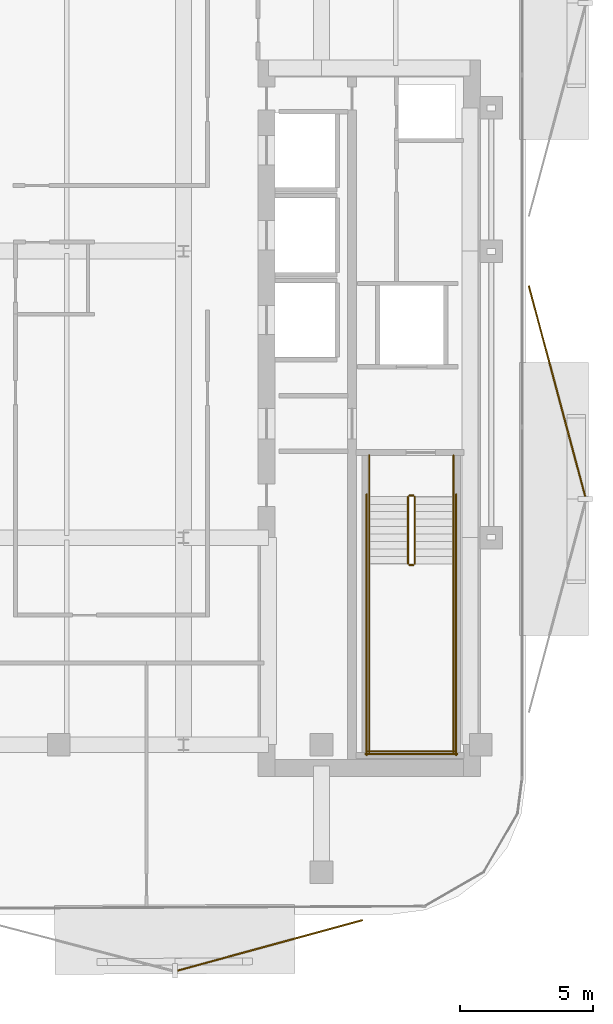
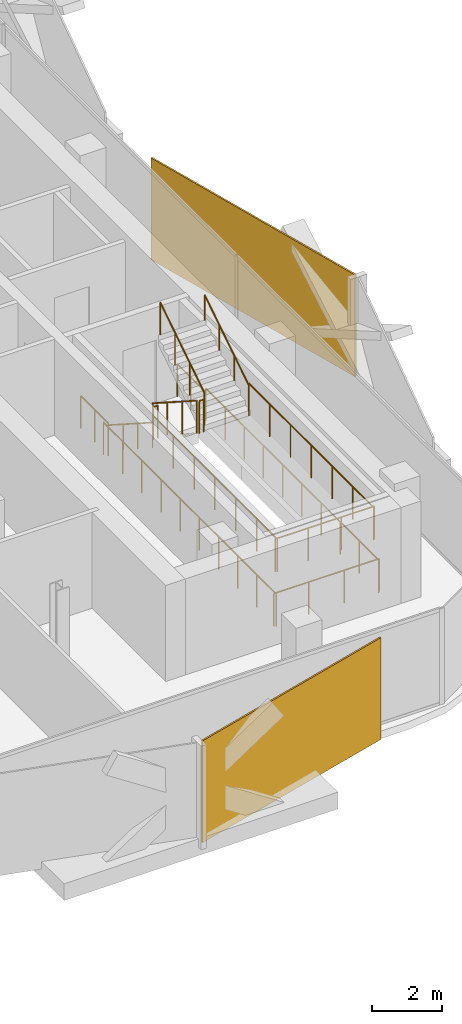
# One storey, part 13 of 14: 14 railings, 2 coverings.
"""IFC4 building model written with IfcOpenShell, lengths in metres."""

from ifc_helpers import new_model, si_unit, direction, frame, origin, origin_2d, place, context, subcontext, project, spatial, rectangle, circle, extrude, material, layer, layer_set, type_object, element, save


model = new_model("IFC4")

# Units and contexts
model_context = context("Model", 3, precision=1e-05, world=origin(), true_north=direction((0.0, 1.0)))
body_context = subcontext(model_context, "Body", "Model", "MODEL_VIEW")
ifc_project = project(units=[si_unit("LENGTHUNIT", "METRE"), si_unit("AREAUNIT", "SQUARE_METRE"), si_unit("VOLUMEUNIT", "CUBIC_METRE"), si_unit("PLANEANGLEUNIT", "RADIAN"), si_unit("MASSUNIT", "GRAM", prefix="KILO")], contexts=[model_context])

# Site, building, storey
site_placement = place(None, origin())
site = spatial("IfcSite", under=ifc_project, at=site_placement, CompositionType="ELEMENT")
building_placement = place(site_placement, origin())
building = spatial("IfcBuilding", under=site, at=building_placement, Name="Khairoan Windgate Tower", CompositionType="ELEMENT")
storey_placement = place(building_placement, frame((0.0, 0.0, 236.800048828125)))
storey = spatial("IfcBuildingStorey", under=building, at=storey_placement, Name="L55", CompositionType="ELEMENT", Elevation=236.800048828125)

# Coverings
ifc_material_1 = material(Name="Anodised Bronze Aluminium 6063-T6", Category="aluminium")
ifc_layer = layer(ifc_material_1, 0.054931640625, Name="Anodised Bronze Aluminium 6063-T6")
ifc_layer_set = layer_set([ifc_layer], Name="Anodised Bronze Aluminium 6063-T6")
covering_type = type_object("IfcCoveringType", Name="Perforated Bronze-Ceramic Folded Solar Screen Cladding BSC-1", PredefinedType="CLADDING", material=ifc_layer_set)
covering_1_placement = place(storey_placement, frame((12.45458984375, -26.162109375, -0.10009765625), z_axis=(0.0, 0.0, 1.0), x_axis=(-0.964649468762, -0.263536339841, 0.0)))
element("IfcCovering", 1, at=covering_1_placement, inside=storey, type_object=covering_type, Name="L55 Folded Bronze Solar Screen Facet 369L", PredefinedType="CLADDING", context=body_context, shape_type="SweptSolid", body=[
    extrude(rectangle(XDim=7.23193359375, YDim=0.054931640625, at=origin_2d()), origin(), (0.0, 0.0, 1.0), 3.5400390625),
])
covering_2_placement = place(storey_placement, frame((23.275634765625, -5.283447265625, -0.10009765625), z_axis=(0.0, 0.0, 1.0), x_axis=(0.258819045103, -0.965925826289, 0.0)))
element("IfcCovering", 2, at=covering_2_placement, inside=storey, type_object=covering_type, Name="L55 Folded Bronze Solar Screen Facet 376L", PredefinedType="CLADDING", context=body_context, shape_type="SweptSolid", body=[
    extrude(rectangle(XDim=8.22412109375, YDim=0.054931640625, at=origin_2d()), origin(), (0.0, 0.0, 1.0), 3.5400390625),
])

# Railings
ifc_material_2 = material(Name="Anodised Bronze Aluminium 6063-T6", Category="aluminium")
railing_type_1 = type_object("IfcRailingType", Name="Stair Wall Handrail SHR-900", PredefinedType="HANDRAIL", material=ifc_material_2)
railing_1_placement = place(storey_placement, frame((16.199951171875, -9.260009765625, 0.179931640625)))
element("IfcRailing", 3, at=railing_1_placement, inside=storey, type_object=railing_type_1, Name="L55 ST1 stair handrail 1", PredefinedType="HANDRAIL", context=body_context, shape_type="SweptSolid", body=[
    extrude(circle(Radius=0.02392578125, at=origin_2d()), frame((0.0, 0.0, 0.8759765625), z_axis=(0.0, -0.841162588446, 0.540782303519), x_axis=(1.0, 0.0, 0.0)), (0.0, 0.0, 1.0), 2.995849609375),
    extrude(circle(Radius=0.02099609375, at=origin_2d()), origin(), (0.0, 0.0, 1.0), 0.851806640625),
    extrude(circle(Radius=0.02099609375, at=origin_2d()), frame((0.0, -0.840087890625, 0.5400390625)), (0.0, 0.0, 1.0), 0.851806640625),
    extrude(circle(Radius=0.02099609375, at=origin_2d()), frame((0.0, -1.679931640625, 1.080078125)), (0.0, 0.0, 1.0), 0.851806640625),
    extrude(circle(Radius=0.02099609375, at=origin_2d()), frame((0.0, -2.52001953125, 1.6201171875)), (0.0, 0.0, 1.0), 0.851806640625),
])
railing_2_placement = place(storey_placement, frame((19.3701171875, -11.780029296875, 1.97998046875)))
element("IfcRailing", 4, at=railing_2_placement, inside=storey, type_object=railing_type_1, Name="L55 ST1 stair handrail 2", PredefinedType="HANDRAIL", context=body_context, shape_type="SweptSolid", body=[
    extrude(circle(Radius=0.02392578125, at=origin_2d()), frame((0.0, 0.0, 0.8759765625), z_axis=(0.0, 0.841199657755, 0.540724639528), x_axis=(-1.0, 0.0, 0.0)), (0.0, 0.0, 1.0), 2.995849609375),
    extrude(circle(Radius=0.02099609375, at=origin_2d()), origin(), (0.0, 0.0, 1.0), 0.851806640625),
    extrude(circle(Radius=0.02099609375, at=origin_2d()), frame((0.0, 0.840087890625, 0.5400390625)), (0.0, 0.0, 1.0), 0.851806640625),
    extrude(circle(Radius=0.02099609375, at=origin_2d()), frame((0.0, 1.679931640625, 1.079833984375)), (0.0, 0.0, 1.0), 0.851806640625),
    extrude(circle(Radius=0.02099609375, at=origin_2d()), frame((0.0, 2.52001953125, 1.619873046875)), (0.0, 0.0, 1.0), 0.851806640625),
])
ifc_material_3 = material(Name="Steel S355", Category="steel")
railing_type_2 = type_object("IfcRailingType", Name="Stairwell Safety Guardrail SGR-1150", PredefinedType="GUARDRAIL", material=ifc_material_3)
railing_3_placement = place(storey_placement, frame((17.659912109375, -9.260009765625, 0.179931640625)))
element("IfcRailing", 5, at=railing_3_placement, inside=storey, type_object=railing_type_2, Name="L55 ST1 stair guard 1", PredefinedType="GUARDRAIL", context=body_context, shape_type="SweptSolid", body=[
    extrude(circle(Radius=0.02392578125, at=origin_2d()), frame((0.0, 0.0, 1.1259765625), z_axis=(0.0, -0.841162588446, 0.540782303519), x_axis=(1.0, 0.0, 0.0)), (0.0, 0.0, 1.0), 2.995849609375),
    extrude(circle(Radius=0.02099609375, at=origin_2d()), origin(), (0.0, 0.0, 1.0), 1.101806640625),
    extrude(circle(Radius=0.02099609375, at=origin_2d()), frame((0.0, -0.840087890625, 0.5400390625)), (0.0, 0.0, 1.0), 1.101806640625),
    extrude(circle(Radius=0.02099609375, at=origin_2d()), frame((0.0, -1.679931640625, 1.080078125)), (0.0, 0.0, 1.0), 1.101806640625),
    extrude(circle(Radius=0.02099609375, at=origin_2d()), frame((0.0, -2.52001953125, 1.6201171875)), (0.0, 0.0, 1.0), 1.101806640625),
])
railing_4_placement = place(storey_placement, frame((17.7099609375, -11.830078125, 1.800048828125)))
element("IfcRailing", 6, at=railing_4_placement, inside=storey, type_object=railing_type_2, Name="L55 ST1 stair guard 2", PredefinedType="GUARDRAIL", context=body_context, shape_type="SweptSolid", body=[
    extrude(circle(Radius=0.02392578125, at=origin_2d()), frame((0.0, 0.0, 1.1259765625), z_axis=(1.0, 0.0, 0.0), x_axis=(0.0, 1.0, 0.0)), (0.0, 0.0, 1.0), 0.150146484375),
    extrude(circle(Radius=0.02099609375, at=origin_2d()), origin(), (0.0, 0.0, 1.0), 1.101806640625),
    extrude(circle(Radius=0.02099609375, at=origin_2d()), frame((0.150146484375, 0.0, 0.0)), (0.0, 0.0, 1.0), 1.101806640625),
])
for number, where, name in (
    (7, (16.199951171875, -11.780029296875, 1.800048828125), "L55 ST1 stair guard 3"),
    (8, (19.3701171875, -11.780029296875, 1.800048828125), "L55 ST1 stair guard 4"),
):
    element("IfcRailing", number, at=place(storey_placement, frame(where)), inside=storey, type_object=railing_type_2, Name=name, PredefinedType="GUARDRAIL", context=body_context, shape_type="SweptSolid", body=[
        extrude(circle(Radius=0.02392578125, at=origin_2d()), frame((0.0, 0.0, 1.1259765625), z_axis=(0.0, -1.0, 0.0), x_axis=(1.0, 0.0, 0.0)), (0.0, 0.0, 1.0), 7.119873046875),
        extrude(circle(Radius=0.02099609375, at=origin_2d()), origin(), (0.0, 0.0, 1.0), 1.101806640625),
        extrude(circle(Radius=0.02099609375, at=origin_2d()), frame((0.0, -1.1865234375, 0.0)), (0.0, 0.0, 1.0), 1.101806640625),
        extrude(circle(Radius=0.02099609375, at=origin_2d()), frame((0.0, -2.373291015625, 0.0)), (0.0, 0.0, 1.0), 1.101806640625),
        extrude(circle(Radius=0.02099609375, at=origin_2d()), frame((0.0, -3.56005859375, 0.0)), (0.0, 0.0, 1.0), 1.101806640625),
        extrude(circle(Radius=0.02099609375, at=origin_2d()), frame((0.0, -4.74658203125, 0.0)), (0.0, 0.0, 1.0), 1.101806640625),
        extrude(circle(Radius=0.02099609375, at=origin_2d()), frame((0.0, -5.93310546875, 0.0)), (0.0, 0.0, 1.0), 1.101806640625),
        extrude(circle(Radius=0.02099609375, at=origin_2d()), frame((0.0, -7.119873046875, 0.0)), (0.0, 0.0, 1.0), 1.101806640625),
    ])
railing_5_placement = place(storey_placement, frame((16.14990234375, -18.85009765625, 1.800048828125)))
element("IfcRailing", 9, at=railing_5_placement, inside=storey, type_object=railing_type_2, Name="L55 ST1 stair guard 5", PredefinedType="GUARDRAIL", context=body_context, shape_type="SweptSolid", body=[
    extrude(circle(Radius=0.02392578125, at=origin_2d()), frame((0.0, 0.0, 1.1259765625), z_axis=(1.0, 0.0, 0.0), x_axis=(0.0, 1.0, 0.0)), (0.0, 0.0, 1.0), 3.27001953125),
    extrude(circle(Radius=0.02099609375, at=origin_2d()), origin(), (0.0, 0.0, 1.0), 1.101806640625),
    extrude(circle(Radius=0.02099609375, at=origin_2d()), frame((1.090087890625, 0.0, 0.0)), (0.0, 0.0, 1.0), 1.101806640625),
    extrude(circle(Radius=0.02099609375, at=origin_2d()), frame((2.179931640625, 0.0, 0.0)), (0.0, 0.0, 1.0), 1.101806640625),
    extrude(circle(Radius=0.02099609375, at=origin_2d()), frame((3.27001953125, 0.0, 0.0)), (0.0, 0.0, 1.0), 1.101806640625),
])
railing_6_placement = place(storey_placement, frame((17.909912109375, -11.780029296875, 1.97998046875)))
element("IfcRailing", 10, at=railing_6_placement, inside=storey, type_object=railing_type_2, Name="L55 ST1 stair guard 6", PredefinedType="GUARDRAIL", context=body_context, shape_type="SweptSolid", body=[
    extrude(circle(Radius=0.02392578125, at=origin_2d()), frame((0.0, 0.0, 1.1259765625), z_axis=(0.0, 0.841199657755, 0.540724639528), x_axis=(-1.0, 0.0, 0.0)), (0.0, 0.0, 1.0), 2.995849609375),
    extrude(circle(Radius=0.02099609375, at=origin_2d()), origin(), (0.0, 0.0, 1.0), 1.101806640625),
    extrude(circle(Radius=0.02099609375, at=origin_2d()), frame((0.0, 0.840087890625, 0.5400390625)), (0.0, 0.0, 1.0), 1.101806640625),
    extrude(circle(Radius=0.02099609375, at=origin_2d()), frame((0.0, 1.679931640625, 1.079833984375)), (0.0, 0.0, 1.0), 1.101806640625),
    extrude(circle(Radius=0.02099609375, at=origin_2d()), frame((0.0, 2.52001953125, 1.619873046875)), (0.0, 0.0, 1.0), 1.101806640625),
])
railing_7_placement = place(storey_placement, frame((17.7099609375, -9.2099609375, 0.0)))
element("IfcRailing", 11, at=railing_7_placement, inside=storey, type_object=railing_type_2, Name="L55 ST1 stair guard 7", PredefinedType="GUARDRAIL", context=body_context, shape_type="SweptSolid", body=[
    extrude(circle(Radius=0.02392578125, at=origin_2d()), frame((0.0, 0.0, 1.1259765625), z_axis=(1.0, 0.0, 0.0), x_axis=(0.0, 1.0, 0.0)), (0.0, 0.0, 1.0), 0.150146484375),
    extrude(circle(Radius=0.02099609375, at=origin_2d()), origin(), (0.0, 0.0, 1.0), 1.101806640625),
    extrude(circle(Radius=0.02099609375, at=origin_2d()), frame((0.150146484375, 0.0, 0.0)), (0.0, 0.0, 1.0), 1.101806640625),
])
for number, where, name in (
    (12, (16.199951171875, -7.699951171875, 0.0), "L55 ST1 stair guard 8"),
    (13, (19.3701171875, -7.699951171875, 0.0), "L55 ST1 stair guard 9"),
):
    element("IfcRailing", number, at=place(storey_placement, frame(where)), inside=storey, type_object=railing_type_2, Name=name, PredefinedType="GUARDRAIL", context=body_context, shape_type="SweptSolid", body=[
        extrude(circle(Radius=0.02392578125, at=origin_2d()), frame((0.0, 0.0, 1.1259765625), z_axis=(0.0, -1.0, 0.0), x_axis=(1.0, 0.0, 0.0)), (0.0, 0.0, 1.0), 1.56005859375),
        extrude(circle(Radius=0.02099609375, at=origin_2d()), origin(), (0.0, 0.0, 1.0), 1.101806640625),
        extrude(circle(Radius=0.02099609375, at=origin_2d()), frame((0.0, -0.780029296875, 0.0)), (0.0, 0.0, 1.0), 1.101806640625),
        extrude(circle(Radius=0.02099609375, at=origin_2d()), frame((0.0, -1.56005859375, 0.0)), (0.0, 0.0, 1.0), 1.101806640625),
    ])
for number, where, name in (
    (14, (16.10009765625, -9.159912109375, 0.0), "L55 ST1 stair guard 10"),
    (15, (19.469970703125, -9.159912109375, 0.0), "L55 ST1 stair guard 11"),
):
    element("IfcRailing", number, at=place(storey_placement, frame(where)), inside=storey, type_object=railing_type_2, Name=name, PredefinedType="GUARDRAIL", context=body_context, shape_type="SweptSolid", body=[
        extrude(circle(Radius=0.02392578125, at=origin_2d()), frame((0.0, 0.0, 1.1259765625), z_axis=(0.0, -1.0, 0.0), x_axis=(1.0, 0.0, 0.0)), (0.0, 0.0, 1.0), 9.840087890625),
        extrude(circle(Radius=0.02099609375, at=origin_2d()), origin(), (0.0, 0.0, 1.0), 1.101806640625),
        extrude(circle(Radius=0.02099609375, at=origin_2d()), frame((0.0, -1.09326171875, 0.0)), (0.0, 0.0, 1.0), 1.101806640625),
        extrude(circle(Radius=0.02099609375, at=origin_2d()), frame((0.0, -2.186767578125, 0.0)), (0.0, 0.0, 1.0), 1.101806640625),
        extrude(circle(Radius=0.02099609375, at=origin_2d()), frame((0.0, -3.280029296875, 0.0)), (0.0, 0.0, 1.0), 1.101806640625),
        extrude(circle(Radius=0.02099609375, at=origin_2d()), frame((0.0, -4.373291015625, 0.0)), (0.0, 0.0, 1.0), 1.101806640625),
        extrude(circle(Radius=0.02099609375, at=origin_2d()), frame((0.0, -5.466796875, 0.0)), (0.0, 0.0, 1.0), 1.101806640625),
        extrude(circle(Radius=0.02099609375, at=origin_2d()), frame((0.0, -6.56005859375, 0.0)), (0.0, 0.0, 1.0), 1.101806640625),
        extrude(circle(Radius=0.02099609375, at=origin_2d()), frame((0.0, -7.6533203125, 0.0)), (0.0, 0.0, 1.0), 1.101806640625),
        extrude(circle(Radius=0.02099609375, at=origin_2d()), frame((0.0, -8.746826171875, 0.0)), (0.0, 0.0, 1.0), 1.101806640625),
        extrude(circle(Radius=0.02099609375, at=origin_2d()), frame((0.0, -9.840087890625, 0.0)), (0.0, 0.0, 1.0), 1.101806640625),
    ])
railing_8_placement = place(storey_placement, frame((16.050048828125, -18.949951171875, 0.0)))
element("IfcRailing", 16, at=railing_8_placement, inside=storey, type_object=railing_type_2, Name="L55 ST1 stair guard 12", PredefinedType="GUARDRAIL", context=body_context, shape_type="SweptSolid", body=[
    extrude(circle(Radius=0.02392578125, at=origin_2d()), frame((0.0, 0.0, 1.1259765625), z_axis=(1.0, 0.0, 0.0), x_axis=(0.0, 1.0, 0.0)), (0.0, 0.0, 1.0), 3.469970703125),
    extrude(circle(Radius=0.02099609375, at=origin_2d()), origin(), (0.0, 0.0, 1.0), 1.101806640625),
    extrude(circle(Radius=0.02099609375, at=origin_2d()), frame((1.15673828125, 0.0, 0.0)), (0.0, 0.0, 1.0), 1.101806640625),
    extrude(circle(Radius=0.02099609375, at=origin_2d()), frame((2.313232421875, 0.0, 0.0)), (0.0, 0.0, 1.0), 1.101806640625),
    extrude(circle(Radius=0.02099609375, at=origin_2d()), frame((3.469970703125, 0.0, 0.0)), (0.0, 0.0, 1.0), 1.101806640625),
])

save(model, "model.ifc")
